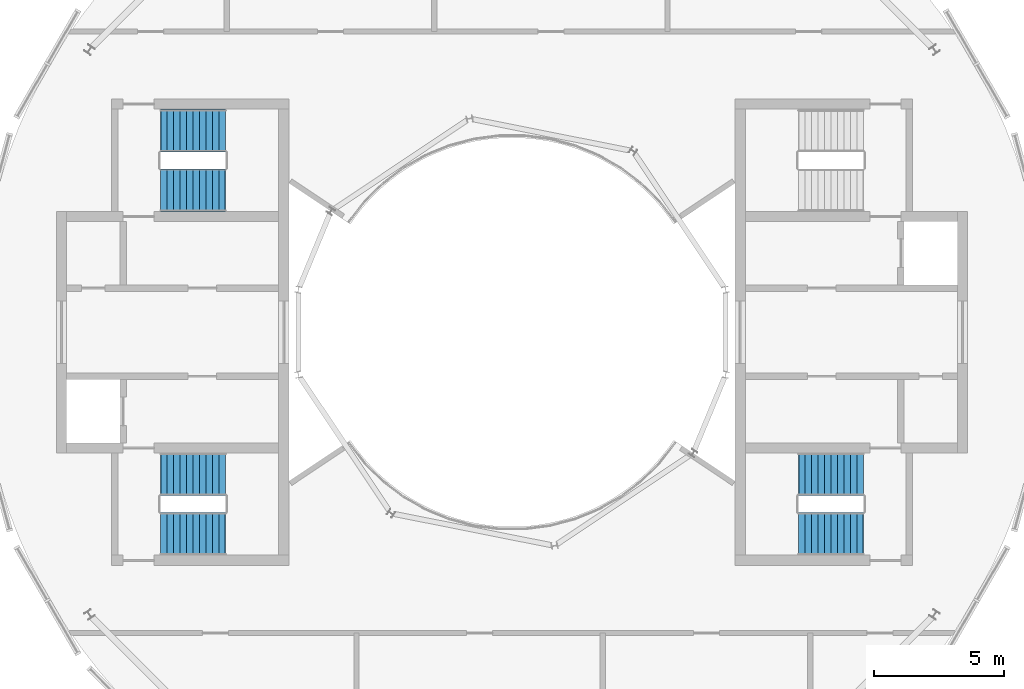
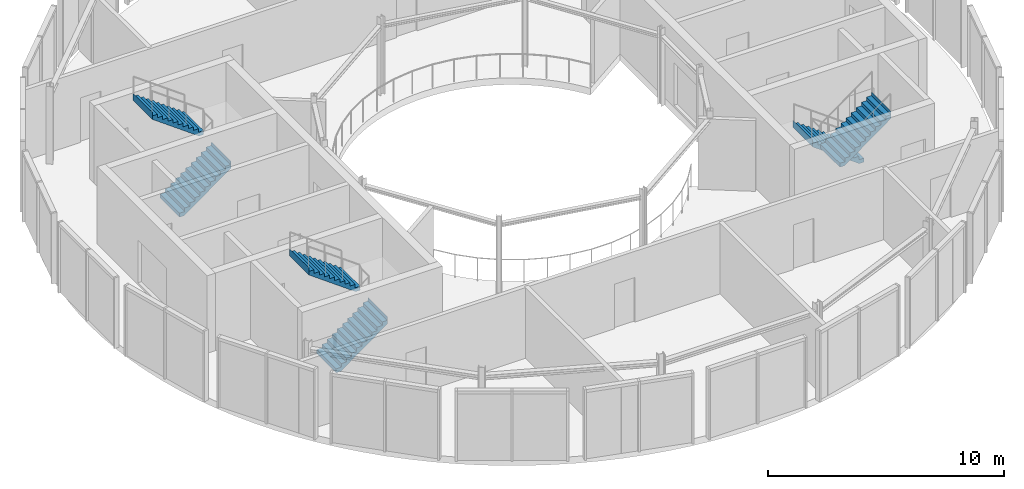
# One storey, part 10 of 12: 6 stair flights, 3 elements without a shape of their own.
"""IFC4 building model written with IfcOpenShell, lengths in metres."""

from ifc_helpers import new_model, si_unit, direction, frame, origin, place, context, subcontext, project, spatial, triangles, material, type_object, element, aggregate, save


model = new_model("IFC4")

# Units and contexts
model_context = context("Model", 3, precision=1e-05, world=origin(), true_north=direction((0.0, 1.0)))
body_context = subcontext(model_context, "Body", "Model", "MODEL_VIEW")
ifc_project = project(units=[si_unit("LENGTHUNIT", "METRE"), si_unit("AREAUNIT", "SQUARE_METRE"), si_unit("VOLUMEUNIT", "CUBIC_METRE"), si_unit("PLANEANGLEUNIT", "RADIAN"), si_unit("MASSUNIT", "GRAM", prefix="KILO")], contexts=[model_context])

# Site, building, storey
site_placement = place(None, origin())
site = spatial("IfcSite", under=ifc_project, at=site_placement, CompositionType="ELEMENT")
building_placement = place(site_placement, origin())
building = spatial("IfcBuilding", under=site, at=building_placement, Name="Maasbend Ring Residences", CompositionType="ELEMENT")
storey_placement = place(building_placement, frame((0.0, 0.0, 265.5)))
storey = spatial("IfcBuildingStorey", under=building, at=storey_placement, Name="L76", CompositionType="ELEMENT", Elevation=265.5)

# Stair, stair flights
ifc_material_1 = material(Name="Concrete C40/50", Category="concrete")
stair_type = type_object("IfcStairType", Name="CORE STAIR 22 RISERS", PredefinedType="HALF_TURN_STAIR", material=ifc_material_1)
stair_1_placement = place(storey_placement, origin())
stair_1 = element("IfcStair", 1, at=stair_1_placement, inside=storey, type_object=stair_type, Name="L76 Exit stair ST-E2", PredefinedType="HALF_TURN_STAIR")
ifc_material_2 = material(Name="Concrete C40/50", Category="concrete")
stair_flight_type = type_object("IfcStairFlightType", Name="CORE STAIR FLIGHT 1650", PredefinedType="STRAIGHT", material=ifc_material_2)
stair_flight_1_placement = place(storey_placement, frame((13.550048828125, -5.47509765625, 0.0), z_axis=(0.0, 0.0, 1.0), x_axis=(-1.0, 0.0, 0.0)))
stair_flight_1 = element("IfcStairFlight", 2, at=stair_flight_1_placement, type_object=stair_flight_type, Name="ST-E2 flight 1", NumberOfRisers=11, NumberOfTreads=10, PredefinedType="STRAIGHT", RiserHeight=0.181818182, TreadLength=0.25, context=body_context, shape_type="Tessellation", body=[
    triangles([(0.23046875, 0.824951171875, -0.02001953125), (2.5029296875, 0.824951171875, 1.6328125), (2.5029296875, 0.824951171875, 2.0), (2.489990234375, 0.824951171875, 1.818115234375), (2.25, 0.824951171875, 1.818115234375), (2.25, 0.824951171875, 1.636474609375), (2.0, 0.824951171875, 1.636474609375), (2.0, 0.824951171875, 1.45458984375), (1.75, 0.824951171875, 1.45458984375), (1.75, 0.824951171875, 1.272705078125), (1.5, 0.824951171875, 1.272705078125), (1.5, 0.824951171875, 1.0908203125), (1.25, 0.824951171875, 1.0908203125), (1.25, 0.824951171875, 0.9091796875), (1.0, 0.824951171875, 0.9091796875), (1.0, 0.824951171875, 0.727294921875), (0.75, 0.824951171875, 0.727294921875), (0.75, 0.824951171875, 0.54541015625), (0.5, 0.824951171875, 0.54541015625), (0.5, 0.824951171875, 0.363525390625), (0.25, 0.824951171875, 0.363525390625), (0.25, 0.824951171875, 0.181884765625), (0.0, 0.824951171875, 0.181884765625), (0.0, 0.824951171875, 0.0), (-0.0029296875, 0.824951171875, 0.0), (-0.0029296875, 0.824951171875, -0.02001953125), (0.23046875, 0.0, -0.02001953125), (2.5029296875, 0.0, 1.6328125), (2.5029296875, 0.0, 2.0), (2.489990234375, 0.0, 1.818115234375), (2.25, 0.0, 1.818115234375), (2.25, 0.0, 1.636474609375), (2.0, 0.0, 1.636474609375), (2.0, 0.0, 1.45458984375), (1.75, 0.0, 1.45458984375), (1.75, 0.0, 1.272705078125), (1.5, 0.0, 1.272705078125), (1.5, 0.0, 1.0908203125), (1.25, 0.0, 1.0908203125), (1.25, 0.0, 0.9091796875), (1.0, 0.0, 0.9091796875), (1.0, 0.0, 0.727294921875), (0.75, 0.0, 0.727294921875), (0.75, 0.0, 0.54541015625), (0.5, 0.0, 0.54541015625), (0.5, 0.0, 0.363525390625), (0.25, 0.0, 0.363525390625), (0.25, 0.0, 0.181884765625), (0.0, 0.0, 0.181884765625), (0.0, 0.0, 0.0), (-0.0029296875, 0.0, 0.0), (-0.0029296875, 0.0, -0.02001953125), (0.23046875, -0.824951171875, -0.02001953125), (2.5029296875, -0.824951171875, 1.6328125), (2.5029296875, -0.824951171875, 2.0), (2.489990234375, -0.824951171875, 1.818115234375), (2.25, -0.824951171875, 1.818115234375), (2.25, -0.824951171875, 1.636474609375), (2.0, -0.824951171875, 1.636474609375), (2.0, -0.824951171875, 1.45458984375), (1.75, -0.824951171875, 1.45458984375), (1.75, -0.824951171875, 1.272705078125), (1.5, -0.824951171875, 1.272705078125), (1.5, -0.824951171875, 1.0908203125), (1.25, -0.824951171875, 1.0908203125), (1.25, -0.824951171875, 0.9091796875), (1.0, -0.824951171875, 0.9091796875), (1.0, -0.824951171875, 0.727294921875), (0.75, -0.824951171875, 0.727294921875), (0.75, -0.824951171875, 0.54541015625), (0.5, -0.824951171875, 0.54541015625), (0.5, -0.824951171875, 0.363525390625), (0.25, -0.824951171875, 0.363525390625), (0.25, -0.824951171875, 0.181884765625), (0.0, -0.824951171875, 0.181884765625), (0.0, -0.824951171875, 0.0), (-0.0029296875, -0.824951171875, 0.0), (-0.0029296875, -0.824951171875, -0.02001953125)], [[1, 2, 28], [1, 28, 27], [27, 28, 54], [27, 54, 53], [2, 3, 29], [2, 29, 28], [28, 29, 55], [28, 55, 54], [3, 4, 30], [3, 30, 29], [29, 30, 56], [29, 56, 55], [4, 5, 31], [4, 31, 30], [30, 31, 57], [30, 57, 56], [5, 6, 32], [5, 32, 31], [31, 32, 58], [31, 58, 57], [6, 7, 33], [6, 33, 32], [32, 33, 59], [32, 59, 58], [7, 8, 34], [7, 34, 33], [33, 34, 60], [33, 60, 59], [8, 9, 35], [8, 35, 34], [34, 35, 61], [34, 61, 60], [9, 10, 36], [9, 36, 35], [35, 36, 62], [35, 62, 61], [10, 11, 37], [10, 37, 36], [36, 37, 63], [36, 63, 62], [11, 12, 38], [11, 38, 37], [37, 38, 64], [37, 64, 63], [12, 13, 39], [12, 39, 38], [38, 39, 65], [38, 65, 64], [13, 14, 40], [13, 40, 39], [39, 40, 66], [39, 66, 65], [14, 15, 41], [14, 41, 40], [40, 41, 67], [40, 67, 66], [15, 16, 42], [15, 42, 41], [41, 42, 68], [41, 68, 67], [16, 17, 43], [16, 43, 42], [42, 43, 69], [42, 69, 68], [17, 18, 44], [17, 44, 43], [43, 44, 70], [43, 70, 69], [18, 19, 45], [18, 45, 44], [44, 45, 71], [44, 71, 70], [19, 20, 46], [19, 46, 45], [45, 46, 72], [45, 72, 71], [20, 21, 47], [20, 47, 46], [46, 47, 73], [46, 73, 72], [21, 22, 48], [21, 48, 47], [47, 48, 74], [47, 74, 73], [22, 23, 49], [22, 49, 48], [48, 49, 75], [48, 75, 74], [23, 24, 50], [23, 50, 49], [49, 50, 76], [49, 76, 75], [24, 25, 51], [24, 51, 50], [50, 51, 77], [50, 77, 76], [25, 26, 52], [25, 52, 51], [51, 52, 78], [51, 78, 77], [26, 1, 27], [26, 27, 52], [52, 27, 53], [52, 53, 78], [26, 2, 1], [2, 4, 3], [2, 5, 4], [2, 6, 5], [26, 6, 2], [6, 8, 7], [26, 8, 6], [8, 10, 9], [26, 10, 8], [10, 12, 11], [26, 12, 10], [12, 14, 13], [26, 14, 12], [14, 16, 15], [26, 16, 14], [16, 18, 17], [26, 18, 16], [18, 20, 19], [26, 20, 18], [20, 22, 21], [26, 22, 20], [22, 24, 23], [26, 24, 22], [24, 26, 25], [78, 53, 54], [54, 55, 56], [54, 56, 57], [54, 57, 58], [78, 54, 58], [58, 59, 60], [78, 58, 60], [60, 61, 62], [78, 60, 62], [62, 63, 64], [78, 62, 64], [64, 65, 66], [78, 64, 66], [66, 67, 68], [78, 66, 68], [68, 69, 70], [78, 68, 70], [70, 71, 72], [78, 70, 72], [72, 73, 74], [78, 72, 74], [74, 75, 76], [78, 74, 76], [76, 77, 78]], closed=True),
])
stair_flight_2_placement = place(storey_placement, frame((11.050048828125, -7.77490234375, 2.0), z_axis=(0.0, 0.0, 1.0), x_axis=(1.0, 0.0, 0.0)))
stair_flight_2 = element("IfcStairFlight", 3, at=stair_flight_2_placement, type_object=stair_flight_type, Name="ST-E2 flight 2", NumberOfRisers=11, NumberOfTreads=10, PredefinedType="STRAIGHT", RiserHeight=0.181818182, TreadLength=0.25, context=body_context, shape_type="Tessellation", body=[
    triangles([(0.23046875, 0.824951171875, -0.02001953125), (2.5029296875, 0.824951171875, 1.6328125), (2.5029296875, 0.824951171875, 2.0), (2.489990234375, 0.824951171875, 1.818115234375), (2.25, 0.824951171875, 1.818115234375), (2.25, 0.824951171875, 1.636474609375), (2.0, 0.824951171875, 1.636474609375), (2.0, 0.824951171875, 1.45458984375), (1.75, 0.824951171875, 1.45458984375), (1.75, 0.824951171875, 1.272705078125), (1.5, 0.824951171875, 1.272705078125), (1.5, 0.824951171875, 1.0908203125), (1.25, 0.824951171875, 1.0908203125), (1.25, 0.824951171875, 0.9091796875), (1.0, 0.824951171875, 0.9091796875), (1.0, 0.824951171875, 0.727294921875), (0.75, 0.824951171875, 0.727294921875), (0.75, 0.824951171875, 0.54541015625), (0.5, 0.824951171875, 0.54541015625), (0.5, 0.824951171875, 0.363525390625), (0.25, 0.824951171875, 0.363525390625), (0.25, 0.824951171875, 0.181884765625), (0.0, 0.824951171875, 0.181884765625), (0.0, 0.824951171875, 0.0), (-0.0029296875, 0.824951171875, 0.0), (-0.0029296875, 0.824951171875, -0.02001953125), (0.23046875, 0.0, -0.02001953125), (2.5029296875, 0.0, 1.6328125), (2.5029296875, 0.0, 2.0), (2.489990234375, 0.0, 1.818115234375), (2.25, 0.0, 1.818115234375), (2.25, 0.0, 1.636474609375), (2.0, 0.0, 1.636474609375), (2.0, 0.0, 1.45458984375), (1.75, 0.0, 1.45458984375), (1.75, 0.0, 1.272705078125), (1.5, 0.0, 1.272705078125), (1.5, 0.0, 1.0908203125), (1.25, 0.0, 1.0908203125), (1.25, 0.0, 0.9091796875), (1.0, 0.0, 0.9091796875), (1.0, 0.0, 0.727294921875), (0.75, 0.0, 0.727294921875), (0.75, 0.0, 0.54541015625), (0.5, 0.0, 0.54541015625), (0.5, 0.0, 0.363525390625), (0.25, 0.0, 0.363525390625), (0.25, 0.0, 0.181884765625), (0.0, 0.0, 0.181884765625), (0.0, 0.0, 0.0), (-0.0029296875, 0.0, 0.0), (-0.0029296875, 0.0, -0.02001953125), (0.23046875, -0.824951171875, -0.02001953125), (2.5029296875, -0.824951171875, 1.6328125), (2.5029296875, -0.824951171875, 2.0), (2.489990234375, -0.824951171875, 1.818115234375), (2.25, -0.824951171875, 1.818115234375), (2.25, -0.824951171875, 1.636474609375), (2.0, -0.824951171875, 1.636474609375), (2.0, -0.824951171875, 1.45458984375), (1.75, -0.824951171875, 1.45458984375), (1.75, -0.824951171875, 1.272705078125), (1.5, -0.824951171875, 1.272705078125), (1.5, -0.824951171875, 1.0908203125), (1.25, -0.824951171875, 1.0908203125), (1.25, -0.824951171875, 0.9091796875), (1.0, -0.824951171875, 0.9091796875), (1.0, -0.824951171875, 0.727294921875), (0.75, -0.824951171875, 0.727294921875), (0.75, -0.824951171875, 0.54541015625), (0.5, -0.824951171875, 0.54541015625), (0.5, -0.824951171875, 0.363525390625), (0.25, -0.824951171875, 0.363525390625), (0.25, -0.824951171875, 0.181884765625), (0.0, -0.824951171875, 0.181884765625), (0.0, -0.824951171875, 0.0), (-0.0029296875, -0.824951171875, 0.0), (-0.0029296875, -0.824951171875, -0.02001953125)], [[1, 2, 28], [1, 28, 27], [27, 28, 54], [27, 54, 53], [2, 3, 29], [2, 29, 28], [28, 29, 55], [28, 55, 54], [3, 4, 30], [3, 30, 29], [29, 30, 56], [29, 56, 55], [4, 5, 31], [4, 31, 30], [30, 31, 57], [30, 57, 56], [5, 6, 32], [5, 32, 31], [31, 32, 58], [31, 58, 57], [6, 7, 33], [6, 33, 32], [32, 33, 59], [32, 59, 58], [7, 8, 34], [7, 34, 33], [33, 34, 60], [33, 60, 59], [8, 9, 35], [8, 35, 34], [34, 35, 61], [34, 61, 60], [9, 10, 36], [9, 36, 35], [35, 36, 62], [35, 62, 61], [10, 11, 37], [10, 37, 36], [36, 37, 63], [36, 63, 62], [11, 12, 38], [11, 38, 37], [37, 38, 64], [37, 64, 63], [12, 13, 39], [12, 39, 38], [38, 39, 65], [38, 65, 64], [13, 14, 40], [13, 40, 39], [39, 40, 66], [39, 66, 65], [14, 15, 41], [14, 41, 40], [40, 41, 67], [40, 67, 66], [15, 16, 42], [15, 42, 41], [41, 42, 68], [41, 68, 67], [16, 17, 43], [16, 43, 42], [42, 43, 69], [42, 69, 68], [17, 18, 44], [17, 44, 43], [43, 44, 70], [43, 70, 69], [18, 19, 45], [18, 45, 44], [44, 45, 71], [44, 71, 70], [19, 20, 46], [19, 46, 45], [45, 46, 72], [45, 72, 71], [20, 21, 47], [20, 47, 46], [46, 47, 73], [46, 73, 72], [21, 22, 48], [21, 48, 47], [47, 48, 74], [47, 74, 73], [22, 23, 49], [22, 49, 48], [48, 49, 75], [48, 75, 74], [23, 24, 50], [23, 50, 49], [49, 50, 76], [49, 76, 75], [24, 25, 51], [24, 51, 50], [50, 51, 77], [50, 77, 76], [25, 26, 52], [25, 52, 51], [51, 52, 78], [51, 78, 77], [26, 1, 27], [26, 27, 52], [52, 27, 53], [52, 53, 78], [26, 2, 1], [2, 4, 3], [2, 5, 4], [2, 6, 5], [26, 6, 2], [6, 8, 7], [26, 8, 6], [8, 10, 9], [26, 10, 8], [10, 12, 11], [26, 12, 10], [12, 14, 13], [26, 14, 12], [14, 16, 15], [26, 16, 14], [16, 18, 17], [26, 18, 16], [18, 20, 19], [26, 20, 18], [20, 22, 21], [26, 22, 20], [22, 24, 23], [26, 24, 22], [24, 26, 25], [78, 53, 54], [54, 55, 56], [54, 56, 57], [54, 57, 58], [78, 54, 58], [58, 59, 60], [78, 58, 60], [60, 61, 62], [78, 60, 62], [62, 63, 64], [78, 62, 64], [64, 65, 66], [78, 64, 66], [66, 67, 68], [78, 66, 68], [68, 69, 70], [78, 68, 70], [70, 71, 72], [78, 70, 72], [72, 73, 74], [78, 72, 74], [74, 75, 76], [78, 74, 76], [76, 77, 78]], closed=True),
])
aggregate(stair_1, [stair_flight_1, stair_flight_2])

stair_2_placement = place(storey_placement, origin())
stair_2 = element("IfcStair", 4, at=stair_2_placement, inside=storey, type_object=stair_type, Name="L76 Exit stair ST-W1", PredefinedType="HALF_TURN_STAIR")
stair_flight_3_placement = place(storey_placement, frame((-13.550048828125, -7.77490234375, 0.0), z_axis=(0.0, 0.0, 1.0), x_axis=(1.0, 0.0, 0.0)))
stair_flight_3 = element("IfcStairFlight", 5, at=stair_flight_3_placement, type_object=stair_flight_type, Name="ST-W1 flight 1", NumberOfRisers=11, NumberOfTreads=10, PredefinedType="STRAIGHT", RiserHeight=0.181818182, TreadLength=0.25, context=body_context, shape_type="Tessellation", body=[
    triangles([(0.23046875, 0.824951171875, -0.02001953125), (2.5029296875, 0.824951171875, 1.6328125), (2.5029296875, 0.824951171875, 2.0), (2.489990234375, 0.824951171875, 1.818115234375), (2.25, 0.824951171875, 1.818115234375), (2.25, 0.824951171875, 1.636474609375), (2.0, 0.824951171875, 1.636474609375), (2.0, 0.824951171875, 1.45458984375), (1.75, 0.824951171875, 1.45458984375), (1.75, 0.824951171875, 1.272705078125), (1.5, 0.824951171875, 1.272705078125), (1.5, 0.824951171875, 1.0908203125), (1.25, 0.824951171875, 1.0908203125), (1.25, 0.824951171875, 0.9091796875), (1.0, 0.824951171875, 0.9091796875), (1.0, 0.824951171875, 0.727294921875), (0.75, 0.824951171875, 0.727294921875), (0.75, 0.824951171875, 0.54541015625), (0.5, 0.824951171875, 0.54541015625), (0.5, 0.824951171875, 0.363525390625), (0.25, 0.824951171875, 0.363525390625), (0.25, 0.824951171875, 0.181884765625), (0.0, 0.824951171875, 0.181884765625), (0.0, 0.824951171875, 0.0), (-0.0029296875, 0.824951171875, 0.0), (-0.0029296875, 0.824951171875, -0.02001953125), (0.23046875, 0.0, -0.02001953125), (2.5029296875, 0.0, 1.6328125), (2.5029296875, 0.0, 2.0), (2.489990234375, 0.0, 1.818115234375), (2.25, 0.0, 1.818115234375), (2.25, 0.0, 1.636474609375), (2.0, 0.0, 1.636474609375), (2.0, 0.0, 1.45458984375), (1.75, 0.0, 1.45458984375), (1.75, 0.0, 1.272705078125), (1.5, 0.0, 1.272705078125), (1.5, 0.0, 1.0908203125), (1.25, 0.0, 1.0908203125), (1.25, 0.0, 0.9091796875), (1.0, 0.0, 0.9091796875), (1.0, 0.0, 0.727294921875), (0.75, 0.0, 0.727294921875), (0.75, 0.0, 0.54541015625), (0.5, 0.0, 0.54541015625), (0.5, 0.0, 0.363525390625), (0.25, 0.0, 0.363525390625), (0.25, 0.0, 0.181884765625), (0.0, 0.0, 0.181884765625), (0.0, 0.0, 0.0), (-0.0029296875, 0.0, 0.0), (-0.0029296875, 0.0, -0.02001953125), (0.23046875, -0.824951171875, -0.02001953125), (2.5029296875, -0.824951171875, 1.6328125), (2.5029296875, -0.824951171875, 2.0), (2.489990234375, -0.824951171875, 1.818115234375), (2.25, -0.824951171875, 1.818115234375), (2.25, -0.824951171875, 1.636474609375), (2.0, -0.824951171875, 1.636474609375), (2.0, -0.824951171875, 1.45458984375), (1.75, -0.824951171875, 1.45458984375), (1.75, -0.824951171875, 1.272705078125), (1.5, -0.824951171875, 1.272705078125), (1.5, -0.824951171875, 1.0908203125), (1.25, -0.824951171875, 1.0908203125), (1.25, -0.824951171875, 0.9091796875), (1.0, -0.824951171875, 0.9091796875), (1.0, -0.824951171875, 0.727294921875), (0.75, -0.824951171875, 0.727294921875), (0.75, -0.824951171875, 0.54541015625), (0.5, -0.824951171875, 0.54541015625), (0.5, -0.824951171875, 0.363525390625), (0.25, -0.824951171875, 0.363525390625), (0.25, -0.824951171875, 0.181884765625), (0.0, -0.824951171875, 0.181884765625), (0.0, -0.824951171875, 0.0), (-0.0029296875, -0.824951171875, 0.0), (-0.0029296875, -0.824951171875, -0.02001953125)], [[1, 2, 28], [1, 28, 27], [27, 28, 54], [27, 54, 53], [2, 3, 29], [2, 29, 28], [28, 29, 55], [28, 55, 54], [3, 4, 30], [3, 30, 29], [29, 30, 56], [29, 56, 55], [4, 5, 31], [4, 31, 30], [30, 31, 57], [30, 57, 56], [5, 6, 32], [5, 32, 31], [31, 32, 58], [31, 58, 57], [6, 7, 33], [6, 33, 32], [32, 33, 59], [32, 59, 58], [7, 8, 34], [7, 34, 33], [33, 34, 60], [33, 60, 59], [8, 9, 35], [8, 35, 34], [34, 35, 61], [34, 61, 60], [9, 10, 36], [9, 36, 35], [35, 36, 62], [35, 62, 61], [10, 11, 37], [10, 37, 36], [36, 37, 63], [36, 63, 62], [11, 12, 38], [11, 38, 37], [37, 38, 64], [37, 64, 63], [12, 13, 39], [12, 39, 38], [38, 39, 65], [38, 65, 64], [13, 14, 40], [13, 40, 39], [39, 40, 66], [39, 66, 65], [14, 15, 41], [14, 41, 40], [40, 41, 67], [40, 67, 66], [15, 16, 42], [15, 42, 41], [41, 42, 68], [41, 68, 67], [16, 17, 43], [16, 43, 42], [42, 43, 69], [42, 69, 68], [17, 18, 44], [17, 44, 43], [43, 44, 70], [43, 70, 69], [18, 19, 45], [18, 45, 44], [44, 45, 71], [44, 71, 70], [19, 20, 46], [19, 46, 45], [45, 46, 72], [45, 72, 71], [20, 21, 47], [20, 47, 46], [46, 47, 73], [46, 73, 72], [21, 22, 48], [21, 48, 47], [47, 48, 74], [47, 74, 73], [22, 23, 49], [22, 49, 48], [48, 49, 75], [48, 75, 74], [23, 24, 50], [23, 50, 49], [49, 50, 76], [49, 76, 75], [24, 25, 51], [24, 51, 50], [50, 51, 77], [50, 77, 76], [25, 26, 52], [25, 52, 51], [51, 52, 78], [51, 78, 77], [26, 1, 27], [26, 27, 52], [52, 27, 53], [52, 53, 78], [26, 2, 1], [2, 4, 3], [2, 5, 4], [2, 6, 5], [26, 6, 2], [6, 8, 7], [26, 8, 6], [8, 10, 9], [26, 10, 8], [10, 12, 11], [26, 12, 10], [12, 14, 13], [26, 14, 12], [14, 16, 15], [26, 16, 14], [16, 18, 17], [26, 18, 16], [18, 20, 19], [26, 20, 18], [20, 22, 21], [26, 22, 20], [22, 24, 23], [26, 24, 22], [24, 26, 25], [78, 53, 54], [54, 55, 56], [54, 56, 57], [54, 57, 58], [78, 54, 58], [58, 59, 60], [78, 58, 60], [60, 61, 62], [78, 60, 62], [62, 63, 64], [78, 62, 64], [64, 65, 66], [78, 64, 66], [66, 67, 68], [78, 66, 68], [68, 69, 70], [78, 68, 70], [70, 71, 72], [78, 70, 72], [72, 73, 74], [78, 72, 74], [74, 75, 76], [78, 74, 76], [76, 77, 78]], closed=True),
])
stair_flight_4_placement = place(storey_placement, frame((-11.050048828125, -5.47509765625, 2.0), z_axis=(0.0, 0.0, 1.0), x_axis=(-1.0, 0.0, 0.0)))
stair_flight_4 = element("IfcStairFlight", 6, at=stair_flight_4_placement, type_object=stair_flight_type, Name="ST-W1 flight 2", NumberOfRisers=11, NumberOfTreads=10, PredefinedType="STRAIGHT", RiserHeight=0.181818182, TreadLength=0.25, context=body_context, shape_type="Tessellation", body=[
    triangles([(0.23046875, 0.824951171875, -0.02001953125), (2.5029296875, 0.824951171875, 1.6328125), (2.5029296875, 0.824951171875, 2.0), (2.489990234375, 0.824951171875, 1.818115234375), (2.25, 0.824951171875, 1.818115234375), (2.25, 0.824951171875, 1.636474609375), (2.0, 0.824951171875, 1.636474609375), (2.0, 0.824951171875, 1.45458984375), (1.75, 0.824951171875, 1.45458984375), (1.75, 0.824951171875, 1.272705078125), (1.5, 0.824951171875, 1.272705078125), (1.5, 0.824951171875, 1.0908203125), (1.25, 0.824951171875, 1.0908203125), (1.25, 0.824951171875, 0.9091796875), (1.0, 0.824951171875, 0.9091796875), (1.0, 0.824951171875, 0.727294921875), (0.75, 0.824951171875, 0.727294921875), (0.75, 0.824951171875, 0.54541015625), (0.5, 0.824951171875, 0.54541015625), (0.5, 0.824951171875, 0.363525390625), (0.25, 0.824951171875, 0.363525390625), (0.25, 0.824951171875, 0.181884765625), (0.0, 0.824951171875, 0.181884765625), (0.0, 0.824951171875, 0.0), (-0.0029296875, 0.824951171875, 0.0), (-0.0029296875, 0.824951171875, -0.02001953125), (0.23046875, 0.0, -0.02001953125), (2.5029296875, 0.0, 1.6328125), (2.5029296875, 0.0, 2.0), (2.489990234375, 0.0, 1.818115234375), (2.25, 0.0, 1.818115234375), (2.25, 0.0, 1.636474609375), (2.0, 0.0, 1.636474609375), (2.0, 0.0, 1.45458984375), (1.75, 0.0, 1.45458984375), (1.75, 0.0, 1.272705078125), (1.5, 0.0, 1.272705078125), (1.5, 0.0, 1.0908203125), (1.25, 0.0, 1.0908203125), (1.25, 0.0, 0.9091796875), (1.0, 0.0, 0.9091796875), (1.0, 0.0, 0.727294921875), (0.75, 0.0, 0.727294921875), (0.75, 0.0, 0.54541015625), (0.5, 0.0, 0.54541015625), (0.5, 0.0, 0.363525390625), (0.25, 0.0, 0.363525390625), (0.25, 0.0, 0.181884765625), (0.0, 0.0, 0.181884765625), (0.0, 0.0, 0.0), (-0.0029296875, 0.0, 0.0), (-0.0029296875, 0.0, -0.02001953125), (0.23046875, -0.824951171875, -0.02001953125), (2.5029296875, -0.824951171875, 1.6328125), (2.5029296875, -0.824951171875, 2.0), (2.489990234375, -0.824951171875, 1.818115234375), (2.25, -0.824951171875, 1.818115234375), (2.25, -0.824951171875, 1.636474609375), (2.0, -0.824951171875, 1.636474609375), (2.0, -0.824951171875, 1.45458984375), (1.75, -0.824951171875, 1.45458984375), (1.75, -0.824951171875, 1.272705078125), (1.5, -0.824951171875, 1.272705078125), (1.5, -0.824951171875, 1.0908203125), (1.25, -0.824951171875, 1.0908203125), (1.25, -0.824951171875, 0.9091796875), (1.0, -0.824951171875, 0.9091796875), (1.0, -0.824951171875, 0.727294921875), (0.75, -0.824951171875, 0.727294921875), (0.75, -0.824951171875, 0.54541015625), (0.5, -0.824951171875, 0.54541015625), (0.5, -0.824951171875, 0.363525390625), (0.25, -0.824951171875, 0.363525390625), (0.25, -0.824951171875, 0.181884765625), (0.0, -0.824951171875, 0.181884765625), (0.0, -0.824951171875, 0.0), (-0.0029296875, -0.824951171875, 0.0), (-0.0029296875, -0.824951171875, -0.02001953125)], [[1, 2, 28], [1, 28, 27], [27, 28, 54], [27, 54, 53], [2, 3, 29], [2, 29, 28], [28, 29, 55], [28, 55, 54], [3, 4, 30], [3, 30, 29], [29, 30, 56], [29, 56, 55], [4, 5, 31], [4, 31, 30], [30, 31, 57], [30, 57, 56], [5, 6, 32], [5, 32, 31], [31, 32, 58], [31, 58, 57], [6, 7, 33], [6, 33, 32], [32, 33, 59], [32, 59, 58], [7, 8, 34], [7, 34, 33], [33, 34, 60], [33, 60, 59], [8, 9, 35], [8, 35, 34], [34, 35, 61], [34, 61, 60], [9, 10, 36], [9, 36, 35], [35, 36, 62], [35, 62, 61], [10, 11, 37], [10, 37, 36], [36, 37, 63], [36, 63, 62], [11, 12, 38], [11, 38, 37], [37, 38, 64], [37, 64, 63], [12, 13, 39], [12, 39, 38], [38, 39, 65], [38, 65, 64], [13, 14, 40], [13, 40, 39], [39, 40, 66], [39, 66, 65], [14, 15, 41], [14, 41, 40], [40, 41, 67], [40, 67, 66], [15, 16, 42], [15, 42, 41], [41, 42, 68], [41, 68, 67], [16, 17, 43], [16, 43, 42], [42, 43, 69], [42, 69, 68], [17, 18, 44], [17, 44, 43], [43, 44, 70], [43, 70, 69], [18, 19, 45], [18, 45, 44], [44, 45, 71], [44, 71, 70], [19, 20, 46], [19, 46, 45], [45, 46, 72], [45, 72, 71], [20, 21, 47], [20, 47, 46], [46, 47, 73], [46, 73, 72], [21, 22, 48], [21, 48, 47], [47, 48, 74], [47, 74, 73], [22, 23, 49], [22, 49, 48], [48, 49, 75], [48, 75, 74], [23, 24, 50], [23, 50, 49], [49, 50, 76], [49, 76, 75], [24, 25, 51], [24, 51, 50], [50, 51, 77], [50, 77, 76], [25, 26, 52], [25, 52, 51], [51, 52, 78], [51, 78, 77], [26, 1, 27], [26, 27, 52], [52, 27, 53], [52, 53, 78], [26, 2, 1], [2, 4, 3], [2, 5, 4], [2, 6, 5], [26, 6, 2], [6, 8, 7], [26, 8, 6], [8, 10, 9], [26, 10, 8], [10, 12, 11], [26, 12, 10], [12, 14, 13], [26, 14, 12], [14, 16, 15], [26, 16, 14], [16, 18, 17], [26, 18, 16], [18, 20, 19], [26, 20, 18], [20, 22, 21], [26, 22, 20], [22, 24, 23], [26, 24, 22], [24, 26, 25], [78, 53, 54], [54, 55, 56], [54, 56, 57], [54, 57, 58], [78, 54, 58], [58, 59, 60], [78, 58, 60], [60, 61, 62], [78, 60, 62], [62, 63, 64], [78, 62, 64], [64, 65, 66], [78, 64, 66], [66, 67, 68], [78, 66, 68], [68, 69, 70], [78, 68, 70], [70, 71, 72], [78, 70, 72], [72, 73, 74], [78, 72, 74], [74, 75, 76], [78, 74, 76], [76, 77, 78]], closed=True),
])
aggregate(stair_2, [stair_flight_3, stair_flight_4])

stair_3_placement = place(storey_placement, origin())
stair_3 = element("IfcStair", 7, at=stair_3_placement, inside=storey, type_object=stair_type, Name="L76 Exit stair ST-W2", PredefinedType="HALF_TURN_STAIR")
stair_flight_5_placement = place(storey_placement, frame((-13.550048828125, 5.47509765625, 0.0), z_axis=(0.0, 0.0, 1.0), x_axis=(1.0, 0.0, 0.0)))
stair_flight_5 = element("IfcStairFlight", 8, at=stair_flight_5_placement, type_object=stair_flight_type, Name="ST-W2 flight 1", NumberOfRisers=11, NumberOfTreads=10, PredefinedType="STRAIGHT", RiserHeight=0.181818182, TreadLength=0.25, context=body_context, shape_type="Tessellation", body=[
    triangles([(0.23046875, 0.824951171875, -0.02001953125), (2.5029296875, 0.824951171875, 1.6328125), (2.5029296875, 0.824951171875, 2.0), (2.489990234375, 0.824951171875, 1.818115234375), (2.25, 0.824951171875, 1.818115234375), (2.25, 0.824951171875, 1.636474609375), (2.0, 0.824951171875, 1.636474609375), (2.0, 0.824951171875, 1.45458984375), (1.75, 0.824951171875, 1.45458984375), (1.75, 0.824951171875, 1.272705078125), (1.5, 0.824951171875, 1.272705078125), (1.5, 0.824951171875, 1.0908203125), (1.25, 0.824951171875, 1.0908203125), (1.25, 0.824951171875, 0.9091796875), (1.0, 0.824951171875, 0.9091796875), (1.0, 0.824951171875, 0.727294921875), (0.75, 0.824951171875, 0.727294921875), (0.75, 0.824951171875, 0.54541015625), (0.5, 0.824951171875, 0.54541015625), (0.5, 0.824951171875, 0.363525390625), (0.25, 0.824951171875, 0.363525390625), (0.25, 0.824951171875, 0.181884765625), (0.0, 0.824951171875, 0.181884765625), (0.0, 0.824951171875, 0.0), (-0.0029296875, 0.824951171875, 0.0), (-0.0029296875, 0.824951171875, -0.02001953125), (0.23046875, 0.0, -0.02001953125), (2.5029296875, 0.0, 1.6328125), (2.5029296875, 0.0, 2.0), (2.489990234375, 0.0, 1.818115234375), (2.25, 0.0, 1.818115234375), (2.25, 0.0, 1.636474609375), (2.0, 0.0, 1.636474609375), (2.0, 0.0, 1.45458984375), (1.75, 0.0, 1.45458984375), (1.75, 0.0, 1.272705078125), (1.5, 0.0, 1.272705078125), (1.5, 0.0, 1.0908203125), (1.25, 0.0, 1.0908203125), (1.25, 0.0, 0.9091796875), (1.0, 0.0, 0.9091796875), (1.0, 0.0, 0.727294921875), (0.75, 0.0, 0.727294921875), (0.75, 0.0, 0.54541015625), (0.5, 0.0, 0.54541015625), (0.5, 0.0, 0.363525390625), (0.25, 0.0, 0.363525390625), (0.25, 0.0, 0.181884765625), (0.0, 0.0, 0.181884765625), (0.0, 0.0, 0.0), (-0.0029296875, 0.0, 0.0), (-0.0029296875, 0.0, -0.02001953125), (0.23046875, -0.824951171875, -0.02001953125), (2.5029296875, -0.824951171875, 1.6328125), (2.5029296875, -0.824951171875, 2.0), (2.489990234375, -0.824951171875, 1.818115234375), (2.25, -0.824951171875, 1.818115234375), (2.25, -0.824951171875, 1.636474609375), (2.0, -0.824951171875, 1.636474609375), (2.0, -0.824951171875, 1.45458984375), (1.75, -0.824951171875, 1.45458984375), (1.75, -0.824951171875, 1.272705078125), (1.5, -0.824951171875, 1.272705078125), (1.5, -0.824951171875, 1.0908203125), (1.25, -0.824951171875, 1.0908203125), (1.25, -0.824951171875, 0.9091796875), (1.0, -0.824951171875, 0.9091796875), (1.0, -0.824951171875, 0.727294921875), (0.75, -0.824951171875, 0.727294921875), (0.75, -0.824951171875, 0.54541015625), (0.5, -0.824951171875, 0.54541015625), (0.5, -0.824951171875, 0.363525390625), (0.25, -0.824951171875, 0.363525390625), (0.25, -0.824951171875, 0.181884765625), (0.0, -0.824951171875, 0.181884765625), (0.0, -0.824951171875, 0.0), (-0.0029296875, -0.824951171875, 0.0), (-0.0029296875, -0.824951171875, -0.02001953125)], [[1, 2, 28], [1, 28, 27], [27, 28, 54], [27, 54, 53], [2, 3, 29], [2, 29, 28], [28, 29, 55], [28, 55, 54], [3, 4, 30], [3, 30, 29], [29, 30, 56], [29, 56, 55], [4, 5, 31], [4, 31, 30], [30, 31, 57], [30, 57, 56], [5, 6, 32], [5, 32, 31], [31, 32, 58], [31, 58, 57], [6, 7, 33], [6, 33, 32], [32, 33, 59], [32, 59, 58], [7, 8, 34], [7, 34, 33], [33, 34, 60], [33, 60, 59], [8, 9, 35], [8, 35, 34], [34, 35, 61], [34, 61, 60], [9, 10, 36], [9, 36, 35], [35, 36, 62], [35, 62, 61], [10, 11, 37], [10, 37, 36], [36, 37, 63], [36, 63, 62], [11, 12, 38], [11, 38, 37], [37, 38, 64], [37, 64, 63], [12, 13, 39], [12, 39, 38], [38, 39, 65], [38, 65, 64], [13, 14, 40], [13, 40, 39], [39, 40, 66], [39, 66, 65], [14, 15, 41], [14, 41, 40], [40, 41, 67], [40, 67, 66], [15, 16, 42], [15, 42, 41], [41, 42, 68], [41, 68, 67], [16, 17, 43], [16, 43, 42], [42, 43, 69], [42, 69, 68], [17, 18, 44], [17, 44, 43], [43, 44, 70], [43, 70, 69], [18, 19, 45], [18, 45, 44], [44, 45, 71], [44, 71, 70], [19, 20, 46], [19, 46, 45], [45, 46, 72], [45, 72, 71], [20, 21, 47], [20, 47, 46], [46, 47, 73], [46, 73, 72], [21, 22, 48], [21, 48, 47], [47, 48, 74], [47, 74, 73], [22, 23, 49], [22, 49, 48], [48, 49, 75], [48, 75, 74], [23, 24, 50], [23, 50, 49], [49, 50, 76], [49, 76, 75], [24, 25, 51], [24, 51, 50], [50, 51, 77], [50, 77, 76], [25, 26, 52], [25, 52, 51], [51, 52, 78], [51, 78, 77], [26, 1, 27], [26, 27, 52], [52, 27, 53], [52, 53, 78], [26, 2, 1], [2, 4, 3], [2, 5, 4], [2, 6, 5], [26, 6, 2], [6, 8, 7], [26, 8, 6], [8, 10, 9], [26, 10, 8], [10, 12, 11], [26, 12, 10], [12, 14, 13], [26, 14, 12], [14, 16, 15], [26, 16, 14], [16, 18, 17], [26, 18, 16], [18, 20, 19], [26, 20, 18], [20, 22, 21], [26, 22, 20], [22, 24, 23], [26, 24, 22], [24, 26, 25], [78, 53, 54], [54, 55, 56], [54, 56, 57], [54, 57, 58], [78, 54, 58], [58, 59, 60], [78, 58, 60], [60, 61, 62], [78, 60, 62], [62, 63, 64], [78, 62, 64], [64, 65, 66], [78, 64, 66], [66, 67, 68], [78, 66, 68], [68, 69, 70], [78, 68, 70], [70, 71, 72], [78, 70, 72], [72, 73, 74], [78, 72, 74], [74, 75, 76], [78, 74, 76], [76, 77, 78]], closed=True),
])
stair_flight_6_placement = place(storey_placement, frame((-11.050048828125, 7.77490234375, 2.0), z_axis=(0.0, 0.0, 1.0), x_axis=(-1.0, 0.0, 0.0)))
stair_flight_6 = element("IfcStairFlight", 9, at=stair_flight_6_placement, type_object=stair_flight_type, Name="ST-W2 flight 2", NumberOfRisers=11, NumberOfTreads=10, PredefinedType="STRAIGHT", RiserHeight=0.181818182, TreadLength=0.25, context=body_context, shape_type="Tessellation", body=[
    triangles([(0.23046875, 0.824951171875, -0.02001953125), (2.5029296875, 0.824951171875, 1.6328125), (2.5029296875, 0.824951171875, 2.0), (2.489990234375, 0.824951171875, 1.818115234375), (2.25, 0.824951171875, 1.818115234375), (2.25, 0.824951171875, 1.636474609375), (2.0, 0.824951171875, 1.636474609375), (2.0, 0.824951171875, 1.45458984375), (1.75, 0.824951171875, 1.45458984375), (1.75, 0.824951171875, 1.272705078125), (1.5, 0.824951171875, 1.272705078125), (1.5, 0.824951171875, 1.0908203125), (1.25, 0.824951171875, 1.0908203125), (1.25, 0.824951171875, 0.9091796875), (1.0, 0.824951171875, 0.9091796875), (1.0, 0.824951171875, 0.727294921875), (0.75, 0.824951171875, 0.727294921875), (0.75, 0.824951171875, 0.54541015625), (0.5, 0.824951171875, 0.54541015625), (0.5, 0.824951171875, 0.363525390625), (0.25, 0.824951171875, 0.363525390625), (0.25, 0.824951171875, 0.181884765625), (0.0, 0.824951171875, 0.181884765625), (0.0, 0.824951171875, 0.0), (-0.0029296875, 0.824951171875, 0.0), (-0.0029296875, 0.824951171875, -0.02001953125), (0.23046875, 0.0, -0.02001953125), (2.5029296875, 0.0, 1.6328125), (2.5029296875, 0.0, 2.0), (2.489990234375, 0.0, 1.818115234375), (2.25, 0.0, 1.818115234375), (2.25, 0.0, 1.636474609375), (2.0, 0.0, 1.636474609375), (2.0, 0.0, 1.45458984375), (1.75, 0.0, 1.45458984375), (1.75, 0.0, 1.272705078125), (1.5, 0.0, 1.272705078125), (1.5, 0.0, 1.0908203125), (1.25, 0.0, 1.0908203125), (1.25, 0.0, 0.9091796875), (1.0, 0.0, 0.9091796875), (1.0, 0.0, 0.727294921875), (0.75, 0.0, 0.727294921875), (0.75, 0.0, 0.54541015625), (0.5, 0.0, 0.54541015625), (0.5, 0.0, 0.363525390625), (0.25, 0.0, 0.363525390625), (0.25, 0.0, 0.181884765625), (0.0, 0.0, 0.181884765625), (0.0, 0.0, 0.0), (-0.0029296875, 0.0, 0.0), (-0.0029296875, 0.0, -0.02001953125), (0.23046875, -0.824951171875, -0.02001953125), (2.5029296875, -0.824951171875, 1.6328125), (2.5029296875, -0.824951171875, 2.0), (2.489990234375, -0.824951171875, 1.818115234375), (2.25, -0.824951171875, 1.818115234375), (2.25, -0.824951171875, 1.636474609375), (2.0, -0.824951171875, 1.636474609375), (2.0, -0.824951171875, 1.45458984375), (1.75, -0.824951171875, 1.45458984375), (1.75, -0.824951171875, 1.272705078125), (1.5, -0.824951171875, 1.272705078125), (1.5, -0.824951171875, 1.0908203125), (1.25, -0.824951171875, 1.0908203125), (1.25, -0.824951171875, 0.9091796875), (1.0, -0.824951171875, 0.9091796875), (1.0, -0.824951171875, 0.727294921875), (0.75, -0.824951171875, 0.727294921875), (0.75, -0.824951171875, 0.54541015625), (0.5, -0.824951171875, 0.54541015625), (0.5, -0.824951171875, 0.363525390625), (0.25, -0.824951171875, 0.363525390625), (0.25, -0.824951171875, 0.181884765625), (0.0, -0.824951171875, 0.181884765625), (0.0, -0.824951171875, 0.0), (-0.0029296875, -0.824951171875, 0.0), (-0.0029296875, -0.824951171875, -0.02001953125)], [[1, 2, 28], [1, 28, 27], [27, 28, 54], [27, 54, 53], [2, 3, 29], [2, 29, 28], [28, 29, 55], [28, 55, 54], [3, 4, 30], [3, 30, 29], [29, 30, 56], [29, 56, 55], [4, 5, 31], [4, 31, 30], [30, 31, 57], [30, 57, 56], [5, 6, 32], [5, 32, 31], [31, 32, 58], [31, 58, 57], [6, 7, 33], [6, 33, 32], [32, 33, 59], [32, 59, 58], [7, 8, 34], [7, 34, 33], [33, 34, 60], [33, 60, 59], [8, 9, 35], [8, 35, 34], [34, 35, 61], [34, 61, 60], [9, 10, 36], [9, 36, 35], [35, 36, 62], [35, 62, 61], [10, 11, 37], [10, 37, 36], [36, 37, 63], [36, 63, 62], [11, 12, 38], [11, 38, 37], [37, 38, 64], [37, 64, 63], [12, 13, 39], [12, 39, 38], [38, 39, 65], [38, 65, 64], [13, 14, 40], [13, 40, 39], [39, 40, 66], [39, 66, 65], [14, 15, 41], [14, 41, 40], [40, 41, 67], [40, 67, 66], [15, 16, 42], [15, 42, 41], [41, 42, 68], [41, 68, 67], [16, 17, 43], [16, 43, 42], [42, 43, 69], [42, 69, 68], [17, 18, 44], [17, 44, 43], [43, 44, 70], [43, 70, 69], [18, 19, 45], [18, 45, 44], [44, 45, 71], [44, 71, 70], [19, 20, 46], [19, 46, 45], [45, 46, 72], [45, 72, 71], [20, 21, 47], [20, 47, 46], [46, 47, 73], [46, 73, 72], [21, 22, 48], [21, 48, 47], [47, 48, 74], [47, 74, 73], [22, 23, 49], [22, 49, 48], [48, 49, 75], [48, 75, 74], [23, 24, 50], [23, 50, 49], [49, 50, 76], [49, 76, 75], [24, 25, 51], [24, 51, 50], [50, 51, 77], [50, 77, 76], [25, 26, 52], [25, 52, 51], [51, 52, 78], [51, 78, 77], [26, 1, 27], [26, 27, 52], [52, 27, 53], [52, 53, 78], [26, 2, 1], [2, 4, 3], [2, 5, 4], [2, 6, 5], [26, 6, 2], [6, 8, 7], [26, 8, 6], [8, 10, 9], [26, 10, 8], [10, 12, 11], [26, 12, 10], [12, 14, 13], [26, 14, 12], [14, 16, 15], [26, 16, 14], [16, 18, 17], [26, 18, 16], [18, 20, 19], [26, 20, 18], [20, 22, 21], [26, 22, 20], [22, 24, 23], [26, 24, 22], [24, 26, 25], [78, 53, 54], [54, 55, 56], [54, 56, 57], [54, 57, 58], [78, 54, 58], [58, 59, 60], [78, 58, 60], [60, 61, 62], [78, 60, 62], [62, 63, 64], [78, 62, 64], [64, 65, 66], [78, 64, 66], [66, 67, 68], [78, 66, 68], [68, 69, 70], [78, 68, 70], [70, 71, 72], [78, 70, 72], [72, 73, 74], [78, 72, 74], [74, 75, 76], [78, 74, 76], [76, 77, 78]], closed=True),
])
aggregate(stair_3, [stair_flight_5, stair_flight_6])

save(model, "model.ifc")
